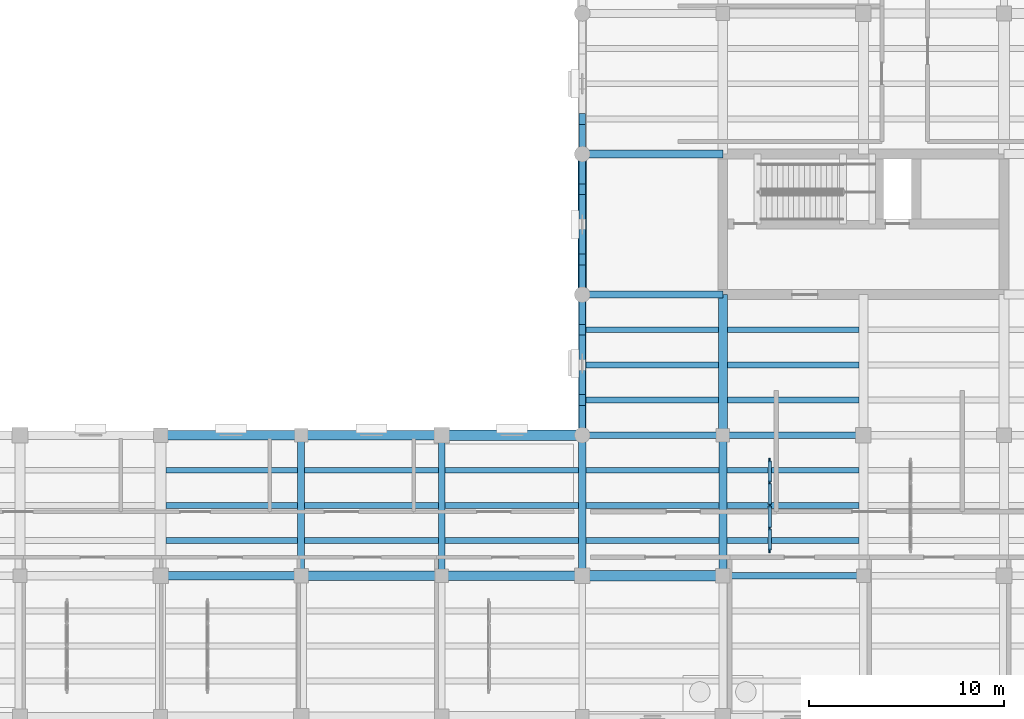
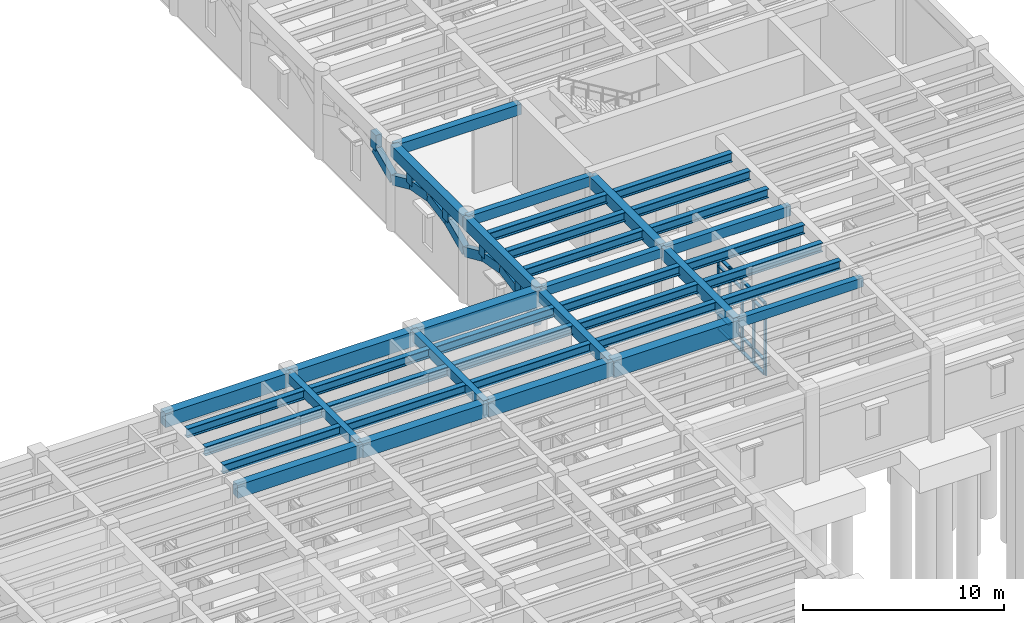
# One storey, part 38 of 100: 40 beams, 35 members, 1 element without a shape of its own.
"""IFC4 building model written with IfcOpenShell, lengths in metres."""

from ifc_helpers import new_model, si_unit, direction, frame, origin, origin_2d, place, context, subcontext, project, spatial, rectangle, i_section, extrude, material, material_profile, profile_set, type_object, element, aggregate, save


model = new_model("IFC4")

# Units and contexts
model_context = context("Model", 3, precision=1e-05, world=origin(), true_north=direction((0.0, 1.0)))
body_context = subcontext(model_context, "Body", "Model", "MODEL_VIEW")
ifc_project = project(units=[si_unit("LENGTHUNIT", "METRE"), si_unit("AREAUNIT", "SQUARE_METRE"), si_unit("VOLUMEUNIT", "CUBIC_METRE"), si_unit("PLANEANGLEUNIT", "RADIAN"), si_unit("MASSUNIT", "GRAM", prefix="KILO")], contexts=[model_context])

# Site, building, storey
site_placement = place(None, origin())
site = spatial("IfcSite", under=ifc_project, at=site_placement, CompositionType="ELEMENT")
building_placement = place(site_placement, origin())
building = spatial("IfcBuilding", under=site, at=building_placement, Name="Mithqara Police Headquarters", CompositionType="ELEMENT")
storey_placement = place(building_placement, origin())
storey = spatial("IfcBuildingStorey", under=building, at=storey_placement, Name="L00", CompositionType="ELEMENT", Elevation=0.0)

# Members
ifc_material_1 = material(Name="Concrete C50/60", Category="concrete")
ifc_material_profile_1 = material_profile(ifc_material_1, rectangle(XDim=0.35009765625, YDim=0.550048828125, at=origin_2d()), Name="ARC 350x550")
ifc_profile_set_1 = profile_set([ifc_material_profile_1], Name="Concrete C50/60")
member_type_1 = type_object("IfcMemberType", Name="ARCH SEG 350X550", PredefinedType="STRUT", material=ifc_profile_set_1)
member_1_placement = place(storey_placement, frame((144.60009765625, 35.39990234375, 2.949951171875), z_axis=(0.0, 0.911312261811, 0.411715874691), x_axis=(-1.0, 0.0, 0.0)))
element("IfcMember", 1, at=member_1_placement, inside=storey, type_object=member_type_1, Name="East Courtyard Cloister Bay 1 Ottoman Arch Chord 1", PredefinedType="STRUT", context=body_context, shape_type="SweptSolid", body=[
    extrude(rectangle(XDim=0.35009765625, YDim=0.550048828125, at=origin_2d()), origin(), (0.0, 0.0, 1.0), 1.975341796875),
])
for number, where, z_axis, x_axis, name in (
    (2, (144.60009765625, 37.199951171875, 3.76318359375), (0.0, 0.982930996603, 0.183974606715), (-1.0, 0.0, 0.0), "East Courtyard Cloister Bay 1 Ottoman Arch Chord 2"),
    (3, (144.60009765625, 39.0, 4.10009765625), (0.0, 0.982930996603, -0.183974606715), (-1.0, 0.0, 0.0), "East Courtyard Cloister Bay 1 Ottoman Arch Chord 3"),
):
    element("IfcMember", number, at=place(storey_placement, frame(where, z_axis=z_axis, x_axis=x_axis)), inside=storey, type_object=member_type_1, Name=name, PredefinedType="STRUT", context=body_context, shape_type="SweptSolid", body=[
        extrude(rectangle(XDim=0.35009765625, YDim=0.550048828125, at=origin_2d()), origin(), (0.0, 0.0, 1.0), 1.831298828125),
    ])
member_2_placement = place(storey_placement, frame((144.60009765625, 40.800048828125, 3.76318359375), z_axis=(0.0, 0.911312261811, -0.411715874691), x_axis=(-1.0, 0.0, 0.0)))
element("IfcMember", 4, at=member_2_placement, inside=storey, type_object=member_type_1, Name="East Courtyard Cloister Bay 1 Ottoman Arch Chord 4", PredefinedType="STRUT", context=body_context, shape_type="SweptSolid", body=[
    extrude(rectangle(XDim=0.35009765625, YDim=0.550048828125, at=origin_2d()), origin(), (0.0, 0.0, 1.0), 1.975341796875),
])
for number, where, z_axis, x_axis, name in (
    (5, (144.60009765625, 37.199951171875, 3.76318359375), (0.0, 0.0, 1.0), (1.0, 0.0, 0.0), "East Courtyard Cloister Bay 1 Arch Spandrel Post 1"),
    (6, (144.60009765625, 40.800048828125, 3.76318359375), (0.0, 0.0, 1.0), (1.0, 0.0, 0.0), "East Courtyard Cloister Bay 1 Arch Spandrel Post 3"),
):
    element("IfcMember", number, at=place(storey_placement, frame(where, z_axis=z_axis, x_axis=x_axis)), inside=storey, type_object=member_type_1, Name=name, PredefinedType="STRUT", context=body_context, shape_type="SweptSolid", body=[
        extrude(rectangle(XDim=0.35009765625, YDim=0.550048828125, at=origin_2d()), origin(), (0.0, 0.0, 1.0), 0.98193359375),
    ])
member_3_placement = place(storey_placement, frame((144.60009765625, 42.60009765625, 2.949951171875), z_axis=(0.0, 0.911291306622, 0.411762254796), x_axis=(-1.0, 0.0, 0.0)))
element("IfcMember", 7, at=member_3_placement, inside=storey, type_object=member_type_1, Name="East Courtyard Cloister Bay 2 Ottoman Arch Chord 1", PredefinedType="STRUT", context=body_context, shape_type="SweptSolid", body=[
    extrude(rectangle(XDim=0.35009765625, YDim=0.550048828125, at=origin_2d()), origin(), (0.0, 0.0, 1.0), 1.97509765625),
])
for number, where, z_axis, x_axis, name in (
    (8, (144.60009765625, 44.39990234375, 3.76318359375), (0.0, 0.982930996603, 0.183974606715), (-1.0, 0.0, 0.0), "East Courtyard Cloister Bay 2 Ottoman Arch Chord 2"),
    (9, (144.60009765625, 46.199951171875, 4.10009765625), (0.0, 0.982930996603, -0.183974606715), (-1.0, 0.0, 0.0), "East Courtyard Cloister Bay 2 Ottoman Arch Chord 3"),
):
    element("IfcMember", number, at=place(storey_placement, frame(where, z_axis=z_axis, x_axis=x_axis)), inside=storey, type_object=member_type_1, Name=name, PredefinedType="STRUT", context=body_context, shape_type="SweptSolid", body=[
        extrude(rectangle(XDim=0.35009765625, YDim=0.550048828125, at=origin_2d()), origin(), (0.0, 0.0, 1.0), 1.831298828125),
    ])
member_4_placement = place(storey_placement, frame((144.60009765625, 48.0, 3.76318359375), z_axis=(0.0, 0.911312261811, -0.411715874691), x_axis=(-1.0, 0.0, 0.0)))
element("IfcMember", 10, at=member_4_placement, inside=storey, type_object=member_type_1, Name="East Courtyard Cloister Bay 2 Ottoman Arch Chord 4", PredefinedType="STRUT", context=body_context, shape_type="SweptSolid", body=[
    extrude(rectangle(XDim=0.35009765625, YDim=0.550048828125, at=origin_2d()), origin(), (0.0, 0.0, 1.0), 1.975341796875),
])
for number, where, z_axis, x_axis, name in (
    (11, (144.60009765625, 44.39990234375, 3.76318359375), (0.0, 0.0, 1.0), (1.0, 0.0, 0.0), "East Courtyard Cloister Bay 2 Arch Spandrel Post 1"),
    (12, (144.60009765625, 48.0, 3.76318359375), (0.0, 0.0, 1.0), (1.0, 0.0, 0.0), "East Courtyard Cloister Bay 2 Arch Spandrel Post 3"),
):
    element("IfcMember", number, at=place(storey_placement, frame(where, z_axis=z_axis, x_axis=x_axis)), inside=storey, type_object=member_type_1, Name=name, PredefinedType="STRUT", context=body_context, shape_type="SweptSolid", body=[
        extrude(rectangle(XDim=0.35009765625, YDim=0.550048828125, at=origin_2d()), origin(), (0.0, 0.0, 1.0), 1.0068359375),
    ])
member_5_placement = place(storey_placement, frame((144.60009765625, 49.800048828125, 2.949951171875), z_axis=(0.0, 0.911312261811, 0.411715874691), x_axis=(-1.0, 0.0, 0.0)))
element("IfcMember", 13, at=member_5_placement, inside=storey, type_object=member_type_1, Name="East Courtyard Cloister Bay 3 Ottoman Arch Chord 1", PredefinedType="STRUT", context=body_context, shape_type="SweptSolid", body=[
    extrude(rectangle(XDim=0.35009765625, YDim=0.550048828125, at=origin_2d()), origin(), (0.0, 0.0, 1.0), 1.975341796875),
])
member_6_placement = place(storey_placement, frame((144.60009765625, 51.60009765625, 3.76318359375), z_axis=(0.0, 0.0, 1.0), x_axis=(1.0, 0.0, 0.0)))
element("IfcMember", 14, at=member_6_placement, inside=storey, type_object=member_type_1, Name="East Courtyard Cloister Bay 3 Arch Spandrel Post 1", PredefinedType="STRUT", context=body_context, shape_type="SweptSolid", body=[
    extrude(rectangle(XDim=0.35009765625, YDim=0.550048828125, at=origin_2d()), origin(), (0.0, 0.0, 1.0), 0.956787109375),
])

# Beams
ifc_material_2 = material(Name="Steel S355JR", Category="steel")
ifc_material_profile_2 = material_profile(ifc_material_2, i_section(OverallWidth=0.300048828125, OverallDepth=0.550048828125, WebThickness=0.014892578125, FlangeThickness=0.029052734375, FilletRadius=0.027099609375, at=origin_2d()), Name="HEB 550")
ifc_profile_set_2 = profile_set([ifc_material_profile_2], Name="Steel S355JR")
beam_type_1 = type_object("IfcBeamType", Name="BEAM HEB550", PredefinedType="BEAM", material=ifc_profile_set_2)
for number, where, z_axis, x_axis, name in (
    (15, (123.27490234375, 30.0, 4.844970703125), (1.0, 0.0, 0.0), (0.0, 1.0, 0.0), "L00 Composite Steel Joist 18-19/E.1"),
    (16, (123.27490234375, 31.800048828125, 4.844970703125), (1.0, 0.0, 0.0), (0.0, 1.0, 0.0), "L00 Composite Steel Joist 18-19/E.2"),
    (17, (123.27490234375, 33.60009765625, 4.844970703125), (1.0, 0.0, 0.0), (0.0, 1.0, 0.0), "L00 Composite Steel Joist 18-19/E.3"),
):
    element("IfcBeam", number, at=place(storey_placement, frame(where, z_axis=z_axis, x_axis=x_axis)), inside=storey, type_object=beam_type_1, Name=name, PredefinedType="BEAM", context=body_context, shape_type="SweptSolid", body=[
        extrude(i_section(OverallWidth=0.300048828125, OverallDepth=0.550048828125, WebThickness=0.014892578125, FlangeThickness=0.029052734375, FilletRadius=0.027099609375, at=origin_2d()), origin(), (0.0, 0.0, 1.0), 6.75),
    ])
for number, where, z_axis, x_axis, name in (
    (18, (130.375, 30.0, 4.844970703125), (1.0, 0.0, 0.0), (0.0, 1.0, 0.0), "L00 Composite Steel Joist 19-20/E.1"),
    (19, (130.375, 31.800048828125, 4.844970703125), (1.0, 0.0, 0.0), (0.0, 1.0, 0.0), "L00 Composite Steel Joist 19-20/E.2"),
    (20, (130.375, 33.60009765625, 4.844970703125), (1.0, 0.0, 0.0), (0.0, 1.0, 0.0), "L00 Composite Steel Joist 19-20/E.3"),
):
    element("IfcBeam", number, at=place(storey_placement, frame(where, z_axis=z_axis, x_axis=x_axis)), inside=storey, type_object=beam_type_1, Name=name, PredefinedType="BEAM", context=body_context, shape_type="SweptSolid", body=[
        extrude(i_section(OverallWidth=0.300048828125, OverallDepth=0.550048828125, WebThickness=0.014892578125, FlangeThickness=0.029052734375, FilletRadius=0.027099609375, at=origin_2d()), origin(), (0.0, 0.0, 1.0), 6.85009765625),
    ])
for number, where, z_axis, x_axis, name in (
    (21, (137.574951171875, 30.0, 4.844970703125), (1.0, 0.0, 0.0), (0.0, 1.0, 0.0), "L00 Composite Steel Joist 20-21/E.1"),
    (22, (137.574951171875, 31.800048828125, 4.844970703125), (1.0, 0.0, 0.0), (0.0, 1.0, 0.0), "L00 Composite Steel Joist 20-21/E.2"),
    (23, (137.574951171875, 33.60009765625, 4.844970703125), (1.0, 0.0, 0.0), (0.0, 1.0, 0.0), "L00 Composite Steel Joist 20-21/E.3"),
):
    element("IfcBeam", number, at=place(storey_placement, frame(where, z_axis=z_axis, x_axis=x_axis)), inside=storey, type_object=beam_type_1, Name=name, PredefinedType="BEAM", context=body_context, shape_type="SweptSolid", body=[
        extrude(i_section(OverallWidth=0.300048828125, OverallDepth=0.550048828125, WebThickness=0.014892578125, FlangeThickness=0.029052734375, FilletRadius=0.027099609375, at=origin_2d()), origin(), (0.0, 0.0, 1.0), 6.824951171875),
    ])
for number, where, z_axis, x_axis, name in (
    (24, (144.800048828125, 30.0, 4.844970703125), (1.0, 0.0, 0.0), (0.0, 1.0, 0.0), "L00 Composite Steel Joist 21-22/E.1"),
    (25, (144.800048828125, 31.800048828125, 4.844970703125), (1.0, 0.0, 0.0), (0.0, 1.0, 0.0), "L00 Composite Steel Joist 21-22/E.2"),
    (26, (144.800048828125, 33.60009765625, 4.844970703125), (1.0, 0.0, 0.0), (0.0, 1.0, 0.0), "L00 Composite Steel Joist 21-22/E.3"),
):
    element("IfcBeam", number, at=place(storey_placement, frame(where, z_axis=z_axis, x_axis=x_axis)), inside=storey, type_object=beam_type_1, Name=name, PredefinedType="BEAM", context=body_context, shape_type="SweptSolid", body=[
        extrude(i_section(OverallWidth=0.300048828125, OverallDepth=0.550048828125, WebThickness=0.014892578125, FlangeThickness=0.029052734375, FilletRadius=0.027099609375, at=origin_2d()), origin(), (0.0, 0.0, 1.0), 6.800048828125),
    ])
for number, where, z_axis, x_axis, name in (
    (27, (144.800048828125, 37.199951171875, 4.844970703125), (1.0, 0.0, 0.0), (0.0, 1.0, 0.0), "L00 Composite Steel Joist 21-22/F.1"),
    (28, (144.800048828125, 39.0, 4.844970703125), (1.0, 0.0, 0.0), (0.0, 1.0, 0.0), "L00 Composite Steel Joist 21-22/F.2"),
    (29, (144.800048828125, 40.800048828125, 4.844970703125), (1.0, 0.0, 0.0), (0.0, 1.0, 0.0), "L00 Composite Steel Joist 21-22/F.3"),
    (30, (152.0, 30.0, 4.844970703125), (1.0, 0.0, 0.0), (0.0, 1.0, 0.0), "L00 Composite Steel Joist 22-23/E.1"),
    (31, (152.0, 31.800048828125, 4.844970703125), (1.0, 0.0, 0.0), (0.0, 1.0, 0.0), "L00 Composite Steel Joist 22-23/E.2"),
    (32, (152.0, 33.60009765625, 4.844970703125), (1.0, 0.0, 0.0), (0.0, 1.0, 0.0), "L00 Composite Steel Joist 22-23/E.3"),
):
    element("IfcBeam", number, at=place(storey_placement, frame(where, z_axis=z_axis, x_axis=x_axis)), inside=storey, type_object=beam_type_1, Name=name, PredefinedType="BEAM", context=body_context, shape_type="SweptSolid", body=[
        extrude(i_section(OverallWidth=0.300048828125, OverallDepth=0.550048828125, WebThickness=0.014892578125, FlangeThickness=0.029052734375, FilletRadius=0.027099609375, at=origin_2d()), origin(), (0.0, 0.0, 1.0), 6.77490234375),
    ])
for number, where, z_axis, x_axis, name in (
    (33, (152.02490234375, 37.199951171875, 4.844970703125), (1.0, 0.0, 0.0), (0.0, 1.0, 0.0), "L00 Composite Steel Joist 22-23/F.1"),
    (34, (152.02490234375, 39.0, 4.844970703125), (1.0, 0.0, 0.0), (0.0, 1.0, 0.0), "L00 Composite Steel Joist 22-23/F.2"),
    (35, (152.02490234375, 40.800048828125, 4.844970703125), (1.0, 0.0, 0.0), (0.0, 1.0, 0.0), "L00 Composite Steel Joist 22-23/F.3"),
):
    element("IfcBeam", number, at=place(storey_placement, frame(where, z_axis=z_axis, x_axis=x_axis)), inside=storey, type_object=beam_type_1, Name=name, PredefinedType="BEAM", context=body_context, shape_type="SweptSolid", body=[
        extrude(i_section(OverallWidth=0.300048828125, OverallDepth=0.550048828125, WebThickness=0.014892578125, FlangeThickness=0.029052734375, FilletRadius=0.027099609375, at=origin_2d()), origin(), (0.0, 0.0, 1.0), 6.75),
    ])
ifc_material_3 = material(Name="Concrete C40/50", Category="concrete")
ifc_material_profile_3 = material_profile(ifc_material_3, rectangle(XDim=0.35009765625, YDim=0.550048828125, at=origin_2d()), Name="RC 350x550")
ifc_profile_set_3 = profile_set([ifc_material_profile_3], Name="Concrete C40/50")
beam_type_2 = type_object("IfcBeamType", Name="BEAM RC350X550", PredefinedType="BEAM", material=ifc_profile_set_3)
for number, where, z_axis, x_axis, name in (
    (36, (130.199951171875, 28.199951171875, 4.844970703125), (0.0, 1.0, 0.0), (-1.0, 0.0, 0.0), "L00 Girder 19/E-F"),
    (37, (144.60009765625, 35.39990234375, 4.844970703125), (1.0, 0.0, 0.0), (0.0, 1.0, 0.0), "L00 Girder 21-22/F"),
    (38, (151.800048828125, 28.199951171875, 4.844970703125), (1.0, 0.0, 0.0), (0.0, 1.0, 0.0), "L00 Girder 22-23/E"),
):
    element("IfcBeam", number, at=place(storey_placement, frame(where, z_axis=z_axis, x_axis=x_axis)), inside=storey, type_object=beam_type_2, Name=name, PredefinedType="BEAM", context=body_context, shape_type="SweptSolid", body=[
        extrude(rectangle(XDim=0.35009765625, YDim=0.550048828125, at=origin_2d()), origin(), (0.0, 0.0, 1.0), 7.199951171875),
    ])
ifc_material_profile_4 = material_profile(ifc_material_3, rectangle(XDim=0.35009765625, YDim=0.60009765625, at=origin_2d()), Name="RC 350x600")
ifc_profile_set_4 = profile_set([ifc_material_profile_4], Name="Concrete C40/50")
beam_type_3 = type_object("IfcBeamType", Name="BEAM RC350X600", PredefinedType="BEAM", material=ifc_profile_set_4)
for number, where, z_axis, x_axis, name in (
    (39, (137.39990234375, 28.199951171875, 4.820068359375), (0.0, 1.0, 0.0), (-1.0, 0.0, 0.0), "L00 Girder 20/E-F"),
    (40, (144.60009765625, 42.60009765625, 4.820068359375), (1.0, 0.0, 0.0), (0.0, 1.0, 0.0), "L00 Girder 21-22/G"),
    (41, (151.800048828125, 35.39990234375, 4.820068359375), (1.0, 0.0, 0.0), (0.0, 1.0, 0.0), "L00 Girder 22-23/F"),
):
    element("IfcBeam", number, at=place(storey_placement, frame(where, z_axis=z_axis, x_axis=x_axis)), inside=storey, type_object=beam_type_3, Name=name, PredefinedType="BEAM", context=body_context, shape_type="SweptSolid", body=[
        extrude(rectangle(XDim=0.35009765625, YDim=0.60009765625, at=origin_2d()), origin(), (0.0, 0.0, 1.0), 7.199951171875),
    ])
ifc_material_profile_5 = material_profile(ifc_material_3, rectangle(XDim=0.39990234375, YDim=0.64990234375, at=origin_2d()), Name="RC 400x650")
ifc_profile_set_5 = profile_set([ifc_material_profile_5], Name="Concrete C40/50")
beam_type_4 = type_object("IfcBeamType", Name="BEAM RC400X650", PredefinedType="BEAM", material=ifc_profile_set_5)
for number, where, z_axis, x_axis, name in (
    (42, (144.60009765625, 28.199951171875, 4.794921875), (0.0, 1.0, 0.0), (-1.0, 0.0, 0.0), "L00 Girder 21/E-F"),
    (43, (144.60009765625, 49.800048828125, 4.794921875), (1.0, 0.0, 0.0), (0.0, 1.0, 0.0), "L00 Girder 21-22/H"),
):
    element("IfcBeam", number, at=place(storey_placement, frame(where, z_axis=z_axis, x_axis=x_axis)), inside=storey, type_object=beam_type_4, Name=name, PredefinedType="BEAM", context=body_context, shape_type="SweptSolid", body=[
        extrude(rectangle(XDim=0.39990234375, YDim=0.64990234375, at=origin_2d()), origin(), (0.0, 0.0, 1.0), 7.199951171875),
    ])
ifc_material_profile_6 = material_profile(ifc_material_3, rectangle(XDim=0.39990234375, YDim=0.75, at=origin_2d()), Name="RC 400x750")
ifc_profile_set_6 = profile_set([ifc_material_profile_6], Name="Concrete C40/50")
beam_type_5 = type_object("IfcBeamType", Name="BEAM RC400X750", PredefinedType="BEAM", material=ifc_profile_set_6)
beam_1_placement = place(storey_placement, frame((144.60009765625, 35.39990234375, 4.7451171875), z_axis=(0.0, 1.0, 0.0), x_axis=(-1.0, 0.0, 0.0)))
element("IfcBeam", 44, at=beam_1_placement, inside=storey, type_object=beam_type_5, Name="L00 Girder 21/F-G", PredefinedType="BEAM", context=body_context, shape_type="SweptSolid", body=[
    extrude(rectangle(XDim=0.39990234375, YDim=0.75, at=origin_2d()), origin(), (0.0, 0.0, 1.0), 7.2001953125),
])
beam_2_placement = place(storey_placement, frame((151.800048828125, 28.199951171875, 4.7451171875), z_axis=(0.0, 1.0, 0.0), x_axis=(-1.0, 0.0, 0.0)))
element("IfcBeam", 45, at=beam_2_placement, inside=storey, type_object=beam_type_5, Name="L00 Girder 22/E-F", PredefinedType="BEAM", context=body_context, shape_type="SweptSolid", body=[
    extrude(rectangle(XDim=0.39990234375, YDim=0.75, at=origin_2d()), origin(), (0.0, 0.0, 1.0), 7.199951171875),
])
ifc_material_profile_7 = material_profile(ifc_material_3, rectangle(XDim=0.449951171875, YDim=0.699951171875, at=origin_2d()), Name="RC 450x700")
ifc_profile_set_7 = profile_set([ifc_material_profile_7], Name="Concrete C40/50")
beam_type_6 = type_object("IfcBeamType", Name="BEAM RC450X700", PredefinedType="BEAM", material=ifc_profile_set_7)
beam_3_placement = place(storey_placement, frame((144.60009765625, 42.60009765625, 4.77001953125), z_axis=(0.0, 1.0, 0.0), x_axis=(-1.0, 0.0, 0.0)))
element("IfcBeam", 46, at=beam_3_placement, inside=storey, type_object=beam_type_6, Name="L00 Girder 21/G-H", PredefinedType="BEAM", context=body_context, shape_type="SweptSolid", body=[
    extrude(rectangle(XDim=0.449951171875, YDim=0.699951171875, at=origin_2d()), origin(), (0.0, 0.0, 1.0), 7.199951171875),
])
beam_4_placement = place(storey_placement, frame((151.800048828125, 35.39990234375, 4.77001953125), z_axis=(0.0, 1.0, 0.0), x_axis=(-1.0, 0.0, 0.0)))
element("IfcBeam", 47, at=beam_4_placement, inside=storey, type_object=beam_type_6, Name="L00 Girder 22/F-G", PredefinedType="BEAM", context=body_context, shape_type="SweptSolid", body=[
    extrude(rectangle(XDim=0.449951171875, YDim=0.699951171875, at=origin_2d()), origin(), (0.0, 0.0, 1.0), 7.2001953125),
])
ifc_material_profile_8 = material_profile(ifc_material_3, rectangle(XDim=0.449951171875, YDim=0.800048828125, at=origin_2d()), Name="RC 450x800")
ifc_profile_set_8 = profile_set([ifc_material_profile_8], Name="Concrete C40/50")
beam_type_7 = type_object("IfcBeamType", Name="BEAM RC450X800", PredefinedType="BEAM", material=ifc_profile_set_8)
beam_5_placement = place(storey_placement, frame((123.0, 28.199951171875, 4.719970703125), z_axis=(1.0, 0.0, 0.0), x_axis=(0.0, 1.0, 0.0)))
element("IfcBeam", 48, at=beam_5_placement, inside=storey, type_object=beam_type_7, Name="L00 Girder 18-19/E", PredefinedType="BEAM", context=body_context, shape_type="SweptSolid", body=[
    extrude(rectangle(XDim=0.449951171875, YDim=0.800048828125, at=origin_2d()), origin(), (0.0, 0.0, 1.0), 7.199951171875),
])
ifc_material_profile_9 = material_profile(ifc_material_3, rectangle(XDim=0.5, YDim=0.85009765625, at=origin_2d()), Name="RC 500x850")
ifc_profile_set_9 = profile_set([ifc_material_profile_9], Name="Concrete C40/50")
beam_type_8 = type_object("IfcBeamType", Name="BEAM RC500X850", PredefinedType="BEAM", material=ifc_profile_set_9)
for number, where, z_axis, x_axis, name in (
    (49, (123.0, 35.39990234375, 4.695068359375), (1.0, 0.0, 0.0), (0.0, 1.0, 0.0), "L00 Girder 18-19/F"),
    (50, (130.199951171875, 28.199951171875, 4.695068359375), (1.0, 0.0, 0.0), (0.0, 1.0, 0.0), "L00 Girder 19-20/E"),
):
    element("IfcBeam", number, at=place(storey_placement, frame(where, z_axis=z_axis, x_axis=x_axis)), inside=storey, type_object=beam_type_8, Name=name, PredefinedType="BEAM", context=body_context, shape_type="SweptSolid", body=[
        extrude(rectangle(XDim=0.5, YDim=0.85009765625, at=origin_2d()), origin(), (0.0, 0.0, 1.0), 7.199951171875),
    ])
ifc_material_profile_10 = material_profile(ifc_material_1, rectangle(XDim=0.5, YDim=0.89990234375, at=origin_2d()), Name="RC 500x900")
ifc_profile_set_10 = profile_set([ifc_material_profile_10], Name="Concrete C50/60")
beam_type_9 = type_object("IfcBeamType", Name="BEAM RC500X900", PredefinedType="BEAM", material=ifc_profile_set_10)
beam_6_placement = place(storey_placement, frame((130.199951171875, 35.39990234375, 4.669921875), z_axis=(1.0, 0.0, 0.0), x_axis=(0.0, 1.0, 0.0)))
element("IfcBeam", 51, at=beam_6_placement, inside=storey, type_object=beam_type_9, Name="L00 Girder 19-20/F", PredefinedType="BEAM", context=body_context, shape_type="SweptSolid", body=[
    extrude(rectangle(XDim=0.5, YDim=0.89990234375, at=origin_2d()), origin(), (0.0, 0.0, 1.0), 7.199951171875),
])
beam_7_placement = place(storey_placement, frame((137.39990234375, 28.199951171875, 4.669921875), z_axis=(1.0, 0.0, 0.0), x_axis=(0.0, 1.0, 0.0)))
element("IfcBeam", 52, at=beam_7_placement, inside=storey, type_object=beam_type_9, Name="L00 Girder 20-21/E", PredefinedType="BEAM", context=body_context, shape_type="SweptSolid", body=[
    extrude(rectangle(XDim=0.5, YDim=0.89990234375, at=origin_2d()), origin(), (0.0, 0.0, 1.0), 7.2001953125),
])
ifc_material_profile_11 = material_profile(ifc_material_1, rectangle(XDim=0.550048828125, YDim=1.0, at=origin_2d()), Name="RC 550x1000")
ifc_profile_set_11 = profile_set([ifc_material_profile_11], Name="Concrete C50/60")
beam_type_10 = type_object("IfcBeamType", Name="BEAM RC550X1000", PredefinedType="BEAM", material=ifc_profile_set_11)
beam_8_placement = place(storey_placement, frame((137.39990234375, 35.39990234375, 4.6201171875), z_axis=(1.0, 0.0, 0.0), x_axis=(0.0, 1.0, 0.0)))
element("IfcBeam", 53, at=beam_8_placement, inside=storey, type_object=beam_type_10, Name="L00 Girder 20-21/F", PredefinedType="BEAM", context=body_context, shape_type="SweptSolid", body=[
    extrude(rectangle(XDim=0.550048828125, YDim=1.0, at=origin_2d()), origin(), (0.0, 0.0, 1.0), 7.2001953125),
])
beam_9_placement = place(storey_placement, frame((144.60009765625, 28.199951171875, 4.6201171875), z_axis=(1.0, 0.0, 0.0), x_axis=(0.0, 1.0, 0.0)))
element("IfcBeam", 54, at=beam_9_placement, inside=storey, type_object=beam_type_10, Name="L00 Girder 21-22/E", PredefinedType="BEAM", context=body_context, shape_type="SweptSolid", body=[
    extrude(rectangle(XDim=0.550048828125, YDim=1.0, at=origin_2d()), origin(), (0.0, 0.0, 1.0), 7.199951171875),
])

# Curtain wall, members
ifc_material_4 = material(Name="Bronze anodised aluminium 6063-T6", Category="aluminium")
curtain_wall_type = type_object("IfcCurtainWallType", Name="CURTAIN WALL 4700X4400", PredefinedType="USERDEFINED", material=ifc_material_4)
curtain_wall_placement = place(storey_placement, origin())
curtain_wall = element("IfcCurtainWall", 55, at=curtain_wall_placement, inside=storey, type_object=curtain_wall_type, Name="L00 Unitised Glazing CW-14 (CW-INT-L00-X21-Y04-0)", ObjectType="UNITISED GLAZING", PredefinedType="USERDEFINED")
ifc_material_profile_12 = material_profile(ifc_material_4, rectangle(XDim=0.074951171875, YDim=0.219970703125, at=origin_2d()), Name="CWM 75x220")
ifc_profile_set_12 = profile_set([ifc_material_profile_12], Name="Bronze anodised aluminium 6063-T6")
member_type_2 = type_object("IfcMemberType", Name="CWMULLION 75X220", PredefinedType="MULLION", material=ifc_profile_set_12)
member_7_placement = place(storey_placement, frame((154.199951171875, 29.487548828125, 0.0), z_axis=(0.0, 0.0, 1.0), x_axis=(-1.0, 0.0, 0.0)))
member_7 = element("IfcMember", 56, at=member_7_placement, type_object=member_type_2, Name="CW-14 mullion 1", PredefinedType="MULLION", context=body_context, shape_type="SweptSolid", body=[
    extrude(rectangle(XDim=0.074951171875, YDim=0.219970703125, at=origin_2d()), origin(), (0.0, 0.0, 1.0), 4.39990234375),
])
member_8_placement = place(storey_placement, frame((154.199951171875, 30.625, 0.0), z_axis=(0.0, 0.0, 1.0), x_axis=(-1.0, 0.0, 0.0)))
member_8 = element("IfcMember", 57, at=member_8_placement, type_object=member_type_2, Name="CW-14 mullion 2", PredefinedType="MULLION", context=body_context, shape_type="SweptSolid", body=[
    extrude(rectangle(XDim=0.074951171875, YDim=0.219970703125, at=origin_2d()), origin(), (0.0, 0.0, 1.0), 4.39990234375),
])
member_9_placement = place(storey_placement, frame((154.199951171875, 31.800048828125, 0.0), z_axis=(0.0, 0.0, 1.0), x_axis=(-1.0, 0.0, 0.0)))
member_9 = element("IfcMember", 58, at=member_9_placement, type_object=member_type_2, Name="CW-14 mullion 3", PredefinedType="MULLION", context=body_context, shape_type="SweptSolid", body=[
    extrude(rectangle(XDim=0.074951171875, YDim=0.219970703125, at=origin_2d()), origin(), (0.0, 0.0, 1.0), 4.39990234375),
])
member_10_placement = place(storey_placement, frame((154.199951171875, 32.97509765625, 0.0), z_axis=(0.0, 0.0, 1.0), x_axis=(-1.0, 0.0, 0.0)))
member_10 = element("IfcMember", 59, at=member_10_placement, type_object=member_type_2, Name="CW-14 mullion 4", PredefinedType="MULLION", context=body_context, shape_type="SweptSolid", body=[
    extrude(rectangle(XDim=0.074951171875, YDim=0.219970703125, at=origin_2d()), origin(), (0.0, 0.0, 1.0), 4.39990234375),
])
member_11_placement = place(storey_placement, frame((154.199951171875, 34.112548828125, 0.0), z_axis=(0.0, 0.0, 1.0), x_axis=(-1.0, 0.0, 0.0)))
member_11 = element("IfcMember", 60, at=member_11_placement, type_object=member_type_2, Name="CW-14 mullion 5", PredefinedType="MULLION", context=body_context, shape_type="SweptSolid", body=[
    extrude(rectangle(XDim=0.074951171875, YDim=0.219970703125, at=origin_2d()), origin(), (0.0, 0.0, 1.0), 4.39990234375),
])
ifc_material_profile_13 = material_profile(ifc_material_4, rectangle(XDim=0.179931640625, YDim=0.074951171875, at=origin_2d()), Name="CWT 180x75")
ifc_profile_set_13 = profile_set([ifc_material_profile_13], Name="Bronze anodised aluminium 6063-T6")
member_type_3 = type_object("IfcMemberType", Name="CWTRANSOM 180X75", PredefinedType="USERDEFINED", material=ifc_profile_set_13)
member_12_placement = place(storey_placement, frame((154.199951171875, 29.52490234375, 0.03759765625), z_axis=(0.0, 1.0, 0.0), x_axis=(-1.0, 0.0, 0.0)))
member_12 = element("IfcMember", 61, at=member_12_placement, type_object=member_type_3, Name="CW-14 transom 1.1", ObjectType="TRANSOM", PredefinedType="USERDEFINED", context=body_context, shape_type="SweptSolid", body=[
    extrude(rectangle(XDim=0.179931640625, YDim=0.074951171875, at=origin_2d()), origin(), (0.0, 0.0, 1.0), 1.0625),
])
member_13_placement = place(storey_placement, frame((154.199951171875, 29.52490234375, 0.89990234375), z_axis=(0.0, 1.0, 0.0), x_axis=(-1.0, 0.0, 0.0)))
member_13 = element("IfcMember", 62, at=member_13_placement, type_object=member_type_3, Name="CW-14 transom 1.2", ObjectType="TRANSOM", PredefinedType="USERDEFINED", context=body_context, shape_type="SweptSolid", body=[
    extrude(rectangle(XDim=0.179931640625, YDim=0.074951171875, at=origin_2d()), origin(), (0.0, 0.0, 1.0), 1.0625),
])
member_14_placement = place(storey_placement, frame((154.199951171875, 29.52490234375, 3.85009765625), z_axis=(0.0, 1.0, 0.0), x_axis=(-1.0, 0.0, 0.0)))
member_14 = element("IfcMember", 63, at=member_14_placement, type_object=member_type_3, Name="CW-14 transom 1.3", ObjectType="TRANSOM", PredefinedType="USERDEFINED", context=body_context, shape_type="SweptSolid", body=[
    extrude(rectangle(XDim=0.179931640625, YDim=0.074951171875, at=origin_2d()), origin(), (0.0, 0.0, 1.0), 1.0625),
])
member_15_placement = place(storey_placement, frame((154.199951171875, 29.52490234375, 4.362548828125), z_axis=(0.0, 1.0, 0.0), x_axis=(-1.0, 0.0, 0.0)))
member_15 = element("IfcMember", 64, at=member_15_placement, type_object=member_type_3, Name="CW-14 transom 1.4", ObjectType="TRANSOM", PredefinedType="USERDEFINED", context=body_context, shape_type="SweptSolid", body=[
    extrude(rectangle(XDim=0.179931640625, YDim=0.074951171875, at=origin_2d()), origin(), (0.0, 0.0, 1.0), 1.0625),
])
member_16_placement = place(storey_placement, frame((154.199951171875, 30.66259765625, 0.03759765625), z_axis=(0.0, 1.0, 0.0), x_axis=(-1.0, 0.0, 0.0)))
member_16 = element("IfcMember", 65, at=member_16_placement, type_object=member_type_3, Name="CW-14 transom 2.1", ObjectType="TRANSOM", PredefinedType="USERDEFINED", context=body_context, shape_type="SweptSolid", body=[
    extrude(rectangle(XDim=0.179931640625, YDim=0.074951171875, at=origin_2d()), origin(), (0.0, 0.0, 1.0), 1.099853515625),
])
member_17_placement = place(storey_placement, frame((154.199951171875, 30.66259765625, 0.89990234375), z_axis=(0.0, 1.0, 0.0), x_axis=(-1.0, 0.0, 0.0)))
member_17 = element("IfcMember", 66, at=member_17_placement, type_object=member_type_3, Name="CW-14 transom 2.2", ObjectType="TRANSOM", PredefinedType="USERDEFINED", context=body_context, shape_type="SweptSolid", body=[
    extrude(rectangle(XDim=0.179931640625, YDim=0.074951171875, at=origin_2d()), origin(), (0.0, 0.0, 1.0), 1.099853515625),
])
member_18_placement = place(storey_placement, frame((154.199951171875, 30.66259765625, 3.85009765625), z_axis=(0.0, 1.0, 0.0), x_axis=(-1.0, 0.0, 0.0)))
member_18 = element("IfcMember", 67, at=member_18_placement, type_object=member_type_3, Name="CW-14 transom 2.3", ObjectType="TRANSOM", PredefinedType="USERDEFINED", context=body_context, shape_type="SweptSolid", body=[
    extrude(rectangle(XDim=0.179931640625, YDim=0.074951171875, at=origin_2d()), origin(), (0.0, 0.0, 1.0), 1.099853515625),
])
member_19_placement = place(storey_placement, frame((154.199951171875, 30.66259765625, 4.362548828125), z_axis=(0.0, 1.0, 0.0), x_axis=(-1.0, 0.0, 0.0)))
member_19 = element("IfcMember", 68, at=member_19_placement, type_object=member_type_3, Name="CW-14 transom 2.4", ObjectType="TRANSOM", PredefinedType="USERDEFINED", context=body_context, shape_type="SweptSolid", body=[
    extrude(rectangle(XDim=0.179931640625, YDim=0.074951171875, at=origin_2d()), origin(), (0.0, 0.0, 1.0), 1.099853515625),
])
member_20_placement = place(storey_placement, frame((154.199951171875, 31.83740234375, 0.03759765625), z_axis=(0.0, 1.0, 0.0), x_axis=(-1.0, 0.0, 0.0)))
member_20 = element("IfcMember", 69, at=member_20_placement, type_object=member_type_3, Name="CW-14 transom 3.1", ObjectType="TRANSOM", PredefinedType="USERDEFINED", context=body_context, shape_type="SweptSolid", body=[
    extrude(rectangle(XDim=0.179931640625, YDim=0.074951171875, at=origin_2d()), origin(), (0.0, 0.0, 1.0), 1.10009765625),
])
member_21_placement = place(storey_placement, frame((154.199951171875, 31.83740234375, 0.89990234375), z_axis=(0.0, 1.0, 0.0), x_axis=(-1.0, 0.0, 0.0)))
member_21 = element("IfcMember", 70, at=member_21_placement, type_object=member_type_3, Name="CW-14 transom 3.2", ObjectType="TRANSOM", PredefinedType="USERDEFINED", context=body_context, shape_type="SweptSolid", body=[
    extrude(rectangle(XDim=0.179931640625, YDim=0.074951171875, at=origin_2d()), origin(), (0.0, 0.0, 1.0), 1.10009765625),
])
member_22_placement = place(storey_placement, frame((154.199951171875, 31.83740234375, 3.85009765625), z_axis=(0.0, 1.0, 0.0), x_axis=(-1.0, 0.0, 0.0)))
member_22 = element("IfcMember", 71, at=member_22_placement, type_object=member_type_3, Name="CW-14 transom 3.3", ObjectType="TRANSOM", PredefinedType="USERDEFINED", context=body_context, shape_type="SweptSolid", body=[
    extrude(rectangle(XDim=0.179931640625, YDim=0.074951171875, at=origin_2d()), origin(), (0.0, 0.0, 1.0), 1.10009765625),
])
member_23_placement = place(storey_placement, frame((154.199951171875, 31.83740234375, 4.362548828125), z_axis=(0.0, 1.0, 0.0), x_axis=(-1.0, 0.0, 0.0)))
member_23 = element("IfcMember", 72, at=member_23_placement, type_object=member_type_3, Name="CW-14 transom 3.4", ObjectType="TRANSOM", PredefinedType="USERDEFINED", context=body_context, shape_type="SweptSolid", body=[
    extrude(rectangle(XDim=0.179931640625, YDim=0.074951171875, at=origin_2d()), origin(), (0.0, 0.0, 1.0), 1.10009765625),
])
member_24_placement = place(storey_placement, frame((154.199951171875, 33.012451171875, 0.03759765625), z_axis=(0.0, 1.0, 0.0), x_axis=(-1.0, 0.0, 0.0)))
member_24 = element("IfcMember", 73, at=member_24_placement, type_object=member_type_3, Name="CW-14 transom 4.1", ObjectType="TRANSOM", PredefinedType="USERDEFINED", context=body_context, shape_type="SweptSolid", body=[
    extrude(rectangle(XDim=0.179931640625, YDim=0.074951171875, at=origin_2d()), origin(), (0.0, 0.0, 1.0), 1.0625),
])
member_25_placement = place(storey_placement, frame((154.199951171875, 33.012451171875, 0.89990234375), z_axis=(0.0, 1.0, 0.0), x_axis=(-1.0, 0.0, 0.0)))
member_25 = element("IfcMember", 74, at=member_25_placement, type_object=member_type_3, Name="CW-14 transom 4.2", ObjectType="TRANSOM", PredefinedType="USERDEFINED", context=body_context, shape_type="SweptSolid", body=[
    extrude(rectangle(XDim=0.179931640625, YDim=0.074951171875, at=origin_2d()), origin(), (0.0, 0.0, 1.0), 1.0625),
])
member_26_placement = place(storey_placement, frame((154.199951171875, 33.012451171875, 3.85009765625), z_axis=(0.0, 1.0, 0.0), x_axis=(-1.0, 0.0, 0.0)))
member_26 = element("IfcMember", 75, at=member_26_placement, type_object=member_type_3, Name="CW-14 transom 4.3", ObjectType="TRANSOM", PredefinedType="USERDEFINED", context=body_context, shape_type="SweptSolid", body=[
    extrude(rectangle(XDim=0.179931640625, YDim=0.074951171875, at=origin_2d()), origin(), (0.0, 0.0, 1.0), 1.0625),
])
member_27_placement = place(storey_placement, frame((154.199951171875, 33.012451171875, 4.362548828125), z_axis=(0.0, 1.0, 0.0), x_axis=(-1.0, 0.0, 0.0)))
member_27 = element("IfcMember", 76, at=member_27_placement, type_object=member_type_3, Name="CW-14 transom 4.4", ObjectType="TRANSOM", PredefinedType="USERDEFINED", context=body_context, shape_type="SweptSolid", body=[
    extrude(rectangle(XDim=0.179931640625, YDim=0.074951171875, at=origin_2d()), origin(), (0.0, 0.0, 1.0), 1.0625),
])
aggregate(curtain_wall, [member_7, member_8, member_9, member_10, member_11, member_12, member_13, member_14, member_15, member_16, member_17, member_18, member_19, member_20, member_21, member_22, member_23, member_24, member_25, member_26, member_27])

save(model, "model.ifc")
